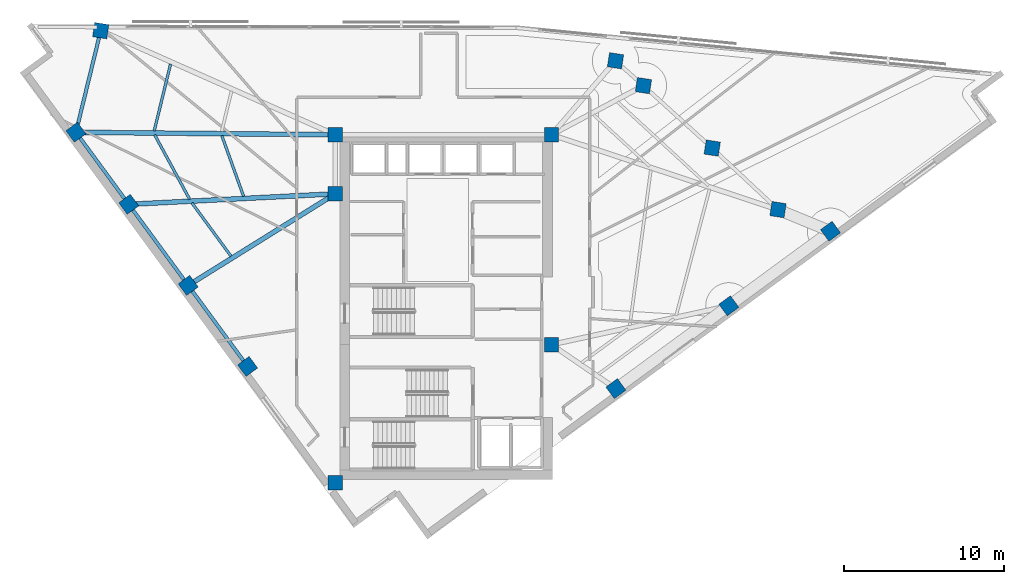
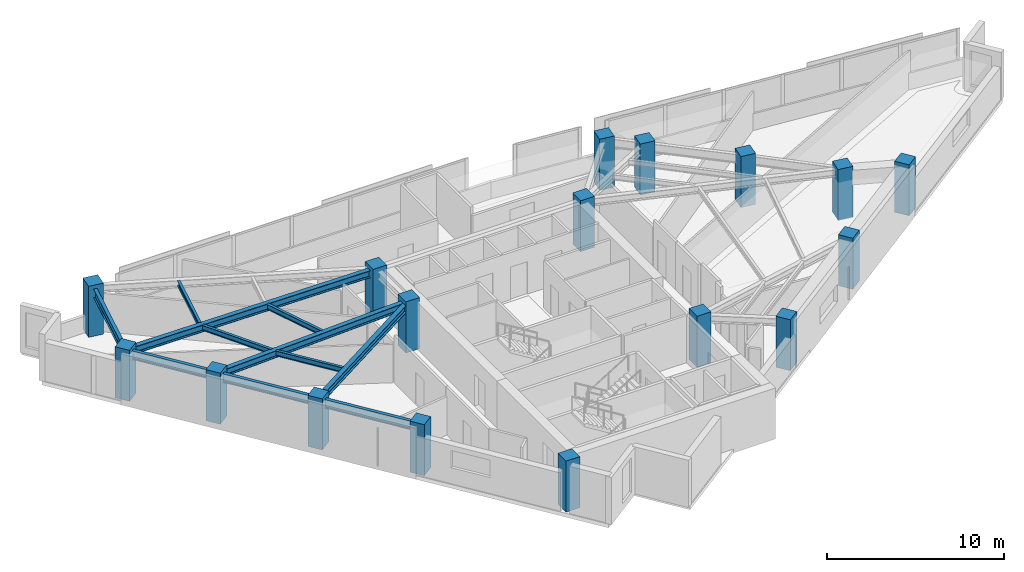
# One storey, part 1 of 13: 17 columns, 11 beams.
"""IFC4 building model written with IfcOpenShell, lengths in metres."""

from ifc_helpers import new_model, si_unit, direction, frame, origin, origin_2d, place, context, subcontext, project, spatial, rectangle, i_section, extrude, material, material_profile, profile_set, type_object, element, save


model = new_model("IFC4")

# Units and contexts
model_context = context("Model", 3, precision=1e-05, world=origin(), true_north=direction((0.0, 1.0)))
body_context = subcontext(model_context, "Body", "Model", "MODEL_VIEW")
ifc_project = project(units=[si_unit("LENGTHUNIT", "METRE"), si_unit("AREAUNIT", "SQUARE_METRE"), si_unit("VOLUMEUNIT", "CUBIC_METRE"), si_unit("PLANEANGLEUNIT", "RADIAN"), si_unit("MASSUNIT", "GRAM", prefix="KILO")], contexts=[model_context])

# Site, building, storey
site_placement = place(None, origin())
site = spatial("IfcSite", under=ifc_project, at=site_placement, CompositionType="ELEMENT")
building_placement = place(site_placement, origin())
building = spatial("IfcBuilding", under=site, at=building_placement, Name="Narakoshi Arena Tower", CompositionType="ELEMENT")
storey_placement = place(building_placement, frame((0.0, 0.0, 243.139892578125)))
storey = spatial("IfcBuildingStorey", under=building, at=storey_placement, Name="L66", CompositionType="ELEMENT", Elevation=243.139892578125)

# Columns
ifc_material_1 = material(Name="Concrete C50/60", Category="concrete")
ifc_material_profile_1 = material_profile(ifc_material_1, rectangle(XDim=0.89990234375, YDim=0.89990234375, at=origin_2d()), Name="RC900x900")
ifc_profile_set_1 = profile_set([ifc_material_profile_1], Name="Concrete C50/60")
column_type = type_object("IfcColumnType", Name="COL-RC900", PredefinedType="COLUMN", material=ifc_profile_set_1)
for number, where, z_axis, x_axis, name in (
    (1, (72.0, 34.699951171875, 0.0), (0.0, 0.0, 1.0), (1.0, 0.0, 0.0), "L66 Core Structural Column CC1"),
    (2, (85.550048828125, 43.35009765625, 0.0), (0.0, 0.0, 1.0), (1.0, 0.0, 0.0), "L66 Core Structural Column CC3"),
    (3, (72.0, 52.800048828125, 0.0), (0.0, 0.0, 1.0), (1.0, 0.0, 0.0), "L66 Core Structural Column CC4"),
    (4, (72.0, 56.5, 0.0), (0.0, 0.0, 1.0), (1.0, 0.0, 0.0), "L66 Core Structural Column CC5"),
    (5, (85.550048828125, 56.5, 0.0), (0.0, 0.0, 1.0), (1.0, 0.0, 0.0), "L66 Core Structural Column CC6"),
    (6, (89.58642578125, 40.594482421875, 0.0), (0.0, 0.0, 1.0), (0.806444604267, 0.591309648364, 0.0), "L66 Tower Perimeter Column TC01"),
    (7, (96.663330078125, 45.783447265625, 0.0), (0.0, 0.0, 1.0), (0.806444604267, 0.591309648364, 0.0), "L66 Tower Perimeter Column TC02"),
    (8, (103.032470703125, 50.45361328125, 0.0), (0.0, 0.0, 1.0), (0.806444604267, 0.591309648364, 0.0), "L66 Tower Perimeter Column TC03"),
    (9, (99.74267578125, 51.80712890625, 0.0), (0.0, 0.0, 1.0), (0.15212338619, 0.988361510468, 0.0), "L66 Tower Perimeter Column TC05"),
    (10, (95.619384765625, 55.665283203125, 0.0), (0.0, 0.0, 1.0), (0.15212338619, 0.988361510468, 0.0), "L66 Tower Perimeter Column TC06"),
    (11, (91.311279296875, 59.576416015625, 0.0), (0.0, 0.0, 1.0), (0.15212338619, 0.988361510468, 0.0), "L66 Tower Perimeter Column TC07"),
    (12, (89.5615234375, 61.134765625, 0.0), (0.0, 0.0, 1.0), (0.15212338619, 0.988361510468, 0.0), "L66 Tower Perimeter Column TC08"),
    (13, (57.30908203125, 63.0205078125, 0.0), (0.0, 0.0, 1.0), (0.15212338619, 0.988361510468, 0.0), "L66 Tower Perimeter Column TC10"),
    (14, (55.75341796875, 56.654296875, 0.0), (0.0, 0.0, 1.0), (-0.591309648364, 0.806444604267, 0.0), "L66 Tower Perimeter Column TC13"),
    (15, (59.063232421875, 52.140380859375, 0.0), (0.0, 0.0, 1.0), (-0.591309648364, 0.806444604267, 0.0), "L66 Tower Perimeter Column TC14"),
    (16, (62.786865234375, 47.061767578125, 0.0), (0.0, 0.0, 1.0), (-0.591309648364, 0.806444604267, 0.0), "L66 Tower Perimeter Column TC15"),
    (17, (66.510498046875, 41.9833984375, 0.0), (0.0, 0.0, 1.0), (-0.591309648364, 0.806444604267, 0.0), "L66 Tower Perimeter Column TC16"),
):
    element("IfcColumn", number, at=place(storey_placement, frame(where, z_axis=z_axis, x_axis=x_axis)), inside=storey, type_object=column_type, Name=name, PredefinedType="COLUMN", context=body_context, shape_type="SweptSolid", body=[
        extrude(rectangle(XDim=0.89990234375, YDim=0.89990234375, at=origin_2d()), origin(), (0.0, 0.0, 1.0), 3.52001953125),
    ])

# Beams
ifc_material_2 = material(Name="Structural steel S355J2", Category="steel")
ifc_material_profile_2 = material_profile(ifc_material_2, i_section(OverallWidth=0.219970703125, OverallDepth=0.60009765625, WebThickness=0.011962890625, FlangeThickness=0.01904296875, FilletRadius=0.02392578125, at=origin_2d()), Name="IPE600")
ifc_profile_set_2 = profile_set([ifc_material_profile_2], Name="Structural steel S355J2")
beam_type_1 = type_object("IfcBeamType", Name="BM-EDGE-600", PredefinedType="BEAM", material=ifc_profile_set_2)
beam_1_placement = place(storey_placement, frame((57.30908203125, 63.0205078125, 2.960205078125), z_axis=(-0.237378097084, -0.971417335147, 0.0), x_axis=(0.971417335147, -0.237378097084, 0.0)))
element("IfcBeam", 18, at=beam_1_placement, inside=storey, type_object=beam_type_1, Name="L66 Perimeter Edge Girder 08", PredefinedType="BEAM", context=body_context, shape_type="SweptSolid", body=[
    extrude(i_section(OverallWidth=0.219970703125, OverallDepth=0.60009765625, WebThickness=0.011962890625, FlangeThickness=0.01904296875, FilletRadius=0.02392578125, at=origin_2d()), origin(), (0.0, 0.0, 1.0), 6.553466796875),
])
beam_2_placement = place(storey_placement, frame((55.75341796875, 56.654296875, 2.960205078125), z_axis=(0.591318280641, -0.806438274749, 0.0), x_axis=(0.806438274749, 0.591318280641, 0.0)))
element("IfcBeam", 19, at=beam_2_placement, inside=storey, type_object=beam_type_1, Name="L66 Perimeter Edge Girder 09", PredefinedType="BEAM", context=body_context, shape_type="SweptSolid", body=[
    extrude(i_section(OverallWidth=0.219970703125, OverallDepth=0.60009765625, WebThickness=0.011962890625, FlangeThickness=0.01904296875, FilletRadius=0.02392578125, at=origin_2d()), origin(), (0.0, 0.0, 1.0), 5.597412109375),
])
for number, where, z_axis, x_axis, name in (
    (20, (59.063232421875, 52.140380859375, 2.960205078125), (0.591293071807, -0.80645675844, 0.0), (0.80645675844, 0.591293071807, 0.0), "L66 Perimeter Edge Girder 10"),
    (21, (62.786865234375, 47.061767578125, 2.960205078125), (0.59131155895, -0.806443203364, 0.0), (0.806443203364, 0.59131155895, 0.0), "L66 Perimeter Edge Girder 11"),
):
    element("IfcBeam", number, at=place(storey_placement, frame(where, z_axis=z_axis, x_axis=x_axis)), inside=storey, type_object=beam_type_1, Name=name, PredefinedType="BEAM", context=body_context, shape_type="SweptSolid", body=[
        extrude(i_section(OverallWidth=0.219970703125, OverallDepth=0.60009765625, WebThickness=0.011962890625, FlangeThickness=0.01904296875, FilletRadius=0.02392578125, at=origin_2d()), origin(), (0.0, 0.0, 1.0), 6.29736328125),
    ])
ifc_material_profile_3 = material_profile(ifc_material_2, i_section(OverallWidth=0.300048828125, OverallDepth=0.5, WebThickness=0.014404296875, FlangeThickness=0.028076171875, FilletRadius=0.027099609375, at=origin_2d()), Name="HE500B")
ifc_profile_set_3 = profile_set([ifc_material_profile_3], Name="Structural steel S355J2")
beam_type_2 = type_object("IfcBeamType", Name="BM-PRI-500", PredefinedType="BEAM", material=ifc_profile_set_3)
beam_3_placement = place(storey_placement, frame((72.0, 56.5, 3.010009765625), z_axis=(-0.999954904742, 0.009496761636, 0.0), x_axis=(-0.009496761636, -0.999954904742, 0.0)))
element("IfcBeam", 22, at=beam_3_placement, inside=storey, type_object=beam_type_2, Name="L66 Radial Primary Floor Girder 09", PredefinedType="BEAM", context=body_context, shape_type="SweptSolid", body=[
    extrude(i_section(OverallWidth=0.300048828125, OverallDepth=0.5, WebThickness=0.014404296875, FlangeThickness=0.028076171875, FilletRadius=0.027099609375, at=origin_2d()), origin(), (0.0, 0.0, 1.0), 16.247314453125),
])
beam_4_placement = place(storey_placement, frame((72.0, 52.800048828125, 3.010009765625), z_axis=(-0.998702452309, -0.050925551079, 0.0), x_axis=(0.050925551079, -0.998702452309, 0.0)))
element("IfcBeam", 23, at=beam_4_placement, inside=storey, type_object=beam_type_2, Name="L66 Radial Primary Floor Girder 10", PredefinedType="BEAM", context=body_context, shape_type="SweptSolid", body=[
    extrude(i_section(OverallWidth=0.300048828125, OverallDepth=0.5, WebThickness=0.014404296875, FlangeThickness=0.028076171875, FilletRadius=0.027099609375, at=origin_2d()), origin(), (0.0, 0.0, 1.0), 12.95361328125),
])
beam_5_placement = place(storey_placement, frame((72.0, 52.800048828125, 3.010009765625), z_axis=(-0.848822444764, -0.528678027976, 0.0), x_axis=(0.528678027976, -0.848822444764, 0.0)))
element("IfcBeam", 24, at=beam_5_placement, inside=storey, type_object=beam_type_2, Name="L66 Radial Primary Floor Girder 11", PredefinedType="BEAM", context=body_context, shape_type="SweptSolid", body=[
    extrude(i_section(OverallWidth=0.300048828125, OverallDepth=0.5, WebThickness=0.014404296875, FlangeThickness=0.028076171875, FilletRadius=0.027099609375, at=origin_2d()), origin(), (0.0, 0.0, 1.0), 10.85400390625),
])
ifc_material_profile_4 = material_profile(ifc_material_2, i_section(OverallWidth=0.169921875, OverallDepth=0.360107421875, WebThickness=0.008056640625, FlangeThickness=0.0126953125, FilletRadius=0.01806640625, at=origin_2d()), Name="IPE360")
ifc_profile_set_4 = profile_set([ifc_material_profile_4], Name="Structural steel S355J2")
beam_type_3 = type_object("IfcBeamType", Name="BM-SEC-360", PredefinedType="JOIST", material=ifc_profile_set_4)
beam_6_placement = place(storey_placement, frame((61.684326171875, 60.933349609375, 3.080078125), z_axis=(-0.237383131081, -0.971416105013, 0.0), x_axis=(0.971416105013, -0.237383131081, 0.0)))
element("IfcBeam", 25, at=beam_6_placement, inside=storey, type_object=beam_type_3, Name="L66 Composite Secondary Floor Joist 08", PredefinedType="JOIST", context=body_context, shape_type="SweptSolid", body=[
    extrude(i_section(OverallWidth=0.169921875, OverallDepth=0.360107421875, WebThickness=0.008056640625, FlangeThickness=0.0126953125, FilletRadius=0.01806640625, at=origin_2d()), origin(), (0.0, 0.0, 1.0), 4.3173828125),
])
beam_7_placement = place(storey_placement, frame((64.897216796875, 56.44091796875, 3.080078125), z_axis=(0.33772891616, -0.941243421857, 0.0), x_axis=(0.941243421857, 0.33772891616, 0.0)))
element("IfcBeam", 26, at=beam_7_placement, inside=storey, type_object=beam_type_3, Name="L66 Composite Secondary Floor Joist 09", PredefinedType="JOIST", context=body_context, shape_type="SweptSolid", body=[
    extrude(i_section(OverallWidth=0.169921875, OverallDepth=0.360107421875, WebThickness=0.008056640625, FlangeThickness=0.0126953125, FilletRadius=0.01806640625, at=origin_2d()), origin(), (0.0, 0.0, 1.0), 4.041748046875),
])
beam_8_placement = place(storey_placement, frame((60.691650390625, 56.489501953125, 3.080078125), z_axis=(0.476930980279, -0.878940748885, 0.0), x_axis=(0.878940748885, 0.476930980279, 0.0)))
element("IfcBeam", 27, at=beam_8_placement, inside=storey, type_object=beam_type_3, Name="L66 Composite Secondary Floor Joist 10", PredefinedType="JOIST", context=body_context, shape_type="SweptSolid", body=[
    extrude(i_section(OverallWidth=0.169921875, OverallDepth=0.360107421875, WebThickness=0.008056640625, FlangeThickness=0.0126953125, FilletRadius=0.01806640625, at=origin_2d()), origin(), (0.0, 0.0, 1.0), 4.588134765625),
])
beam_9_placement = place(storey_placement, frame((63.024169921875, 52.229248046875, 3.080078125), z_axis=(0.591289485893, -0.806459387615, 0.0), x_axis=(0.806459387615, 0.591289485893, 0.0)))
element("IfcBeam", 28, at=beam_9_placement, inside=storey, type_object=beam_type_3, Name="L66 Composite Secondary Floor Joist 11", PredefinedType="JOIST", context=body_context, shape_type="SweptSolid", body=[
    extrude(i_section(OverallWidth=0.169921875, OverallDepth=0.360107421875, WebThickness=0.008056640625, FlangeThickness=0.0126953125, FilletRadius=0.01806640625, at=origin_2d()), origin(), (0.0, 0.0, 1.0), 4.137939453125),
])

save(model, "model.ifc")
